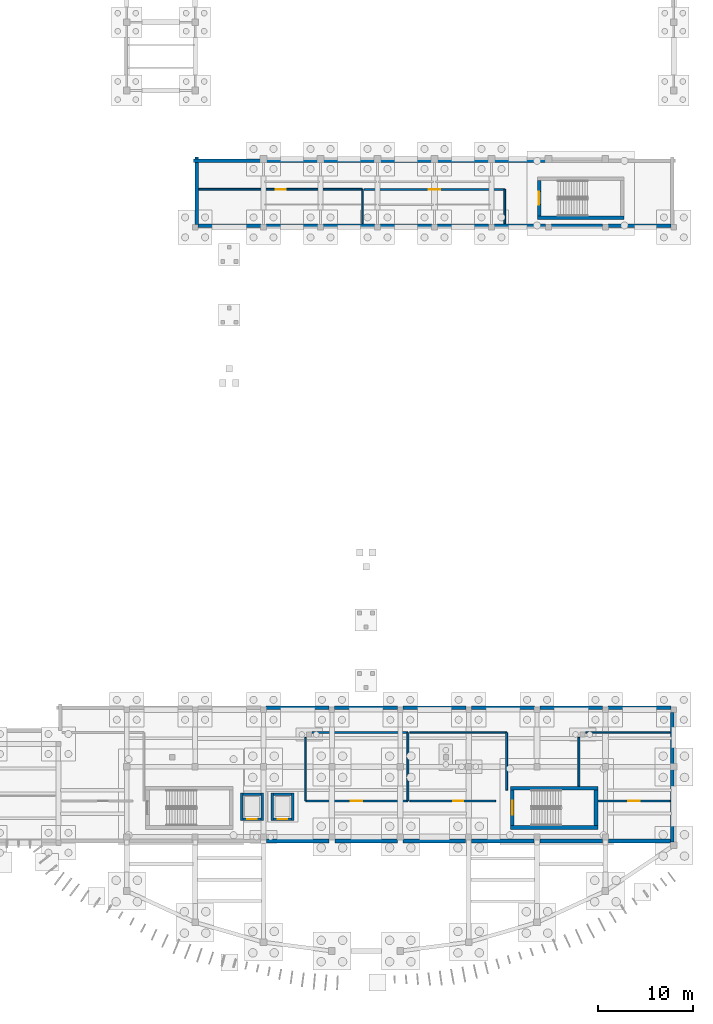
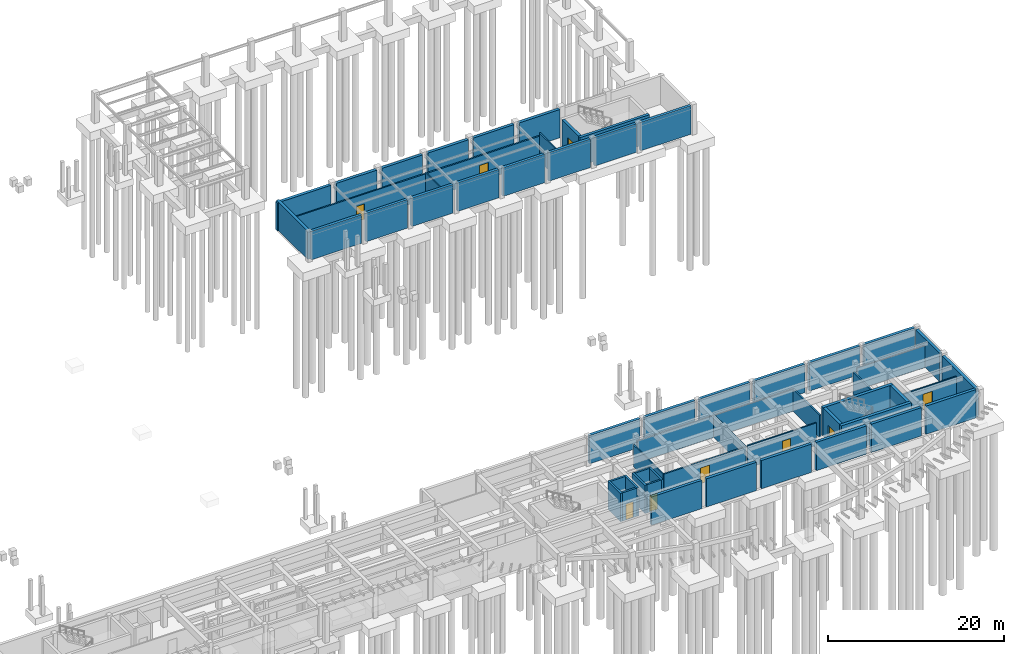
# One storey, part 19 of 31: 57 walls, 9 doors, 9 openings.
"""IFC4 building model written with IfcOpenShell, lengths in metres."""

import ifcopenshell
import ifcopenshell.guid

model = None  # the IFC model being written
_history = None  # IfcOwnerHistory: only IFC2X3 demands one
_inside = {}  # id of a spatial element -> (the spatial element, [elements in it])
_under = {}  # id of a project, library or spatial element -> (it, [spatial elements below it])
_declared = {}  # id of a project -> (the project, [libraries it declares])
_typed = {}  # id of a type object -> (the type object, [elements of that type])
_made_of = {}  # id of a material, layer set ... -> (it, [elements and type objects made of it])


def new_model(schema):
    """Start an empty IFC model of exactly this schema.

    Asked for "IFC4X3", IfcOpenShell would pick the latest addendum, in which some entities
    have other attributes; the version numbers below select the first issue.
    IFC2X3 requires an IfcOwnerHistory on every rooted entity: one is made here for all.
    """
    global model, _history
    if schema == "IFC4X3":
        model = ifcopenshell.file(schema_version=(4, 3, 0, 0))
    else:
        model = ifcopenshell.file(schema=schema)
    _inside.clear()
    _under.clear()
    _declared.clear()
    _typed.clear()
    _made_of.clear()
    _history = None
    if model.schema == "IFC2X3":
        org = make("IfcOrganization", Name="unknown")
        user = make(
            "IfcPersonAndOrganization",
            ThePerson=make("IfcPerson", FamilyName="unknown"),
            TheOrganization=org,
        )
        app = make(
            "IfcApplication",
            ApplicationDeveloper=org,
            Version="unknown",
            ApplicationFullName="unknown",
            ApplicationIdentifier="unknown",
        )
        _history = make(
            "IfcOwnerHistory",
            OwningUser=user,
            OwningApplication=app,
            ChangeAction="ADDED",
            CreationDate=0,
        )
    return model


def make(cls, **values):
    """One entity of the class cls with the attributes given. An attribute that is None is left unset."""
    return model.create_entity(
        cls, **{name: value for name, value in values.items() if value is not None}
    )


def rooted(cls, **values):
    """An entity with a GlobalId (a new one), such as an element, a storey or a relation."""
    return make(cls, GlobalId=ifcopenshell.guid.new(), OwnerHistory=_history, **values)


def si_unit(unit_type, name, prefix=None):
    """IfcSIUnit, for example si_unit("LENGTHUNIT", "METRE", prefix="MILLI")."""
    return make("IfcSIUnit", UnitType=unit_type, Prefix=prefix, Name=name)


def assignment(units):
    """IfcUnitAssignment: the units of a project."""
    return None if units is None else make("IfcUnitAssignment", Units=units)


def point(xyz):
    """IfcCartesianPoint."""
    return None if xyz is None else make("IfcCartesianPoint", Coordinates=xyz)


def direction(xyz):
    """IfcDirection."""
    return None if xyz is None else make("IfcDirection", DirectionRatios=xyz)


def frame(location, z_axis=None, x_axis=None):
    """IfcAxis2Placement3D, a coordinate frame: its origin and axes. An axis left out is left unset."""
    return make(
        "IfcAxis2Placement3D",
        Location=point(location),
        Axis=direction(z_axis),
        RefDirection=direction(x_axis),
    )


def frame_2d(location, x_axis=None):
    """IfcAxis2Placement2D, a coordinate frame in the plane: its origin and x axis."""
    return make(
        "IfcAxis2Placement2D", Location=point(location), RefDirection=direction(x_axis)
    )


def origin():
    """The frame at (0, 0, 0) with its axes left unset."""
    return frame((0.0, 0.0, 0.0))


def place(relative_to, where):
    """IfcLocalPlacement: puts the frame where relative to a parent placement (None: the world)."""
    return make(
        "IfcLocalPlacement", PlacementRelTo=relative_to, RelativePlacement=where
    )


def context(
    kind, dimensions, precision=None, world=None, true_north=None, identifier=None
):
    """IfcGeometricRepresentationContext, for example the 3D "Model" context."""
    return make(
        "IfcGeometricRepresentationContext",
        ContextIdentifier=identifier,
        ContextType=kind,
        CoordinateSpaceDimension=dimensions,
        Precision=precision,
        WorldCoordinateSystem=world,
        TrueNorth=true_north,
    )


def subcontext(parent, identifier, kind, view, scale=None):
    """IfcGeometricRepresentationSubContext, for example "Body" below "Model"."""
    return make(
        "IfcGeometricRepresentationSubContext",
        ContextIdentifier=identifier,
        ContextType=kind,
        ParentContext=parent,
        TargetScale=scale,
        TargetView=view,
    )


def project(units=None, contexts=None):
    """IfcProject with its units and contexts."""
    return rooted(
        "IfcProject",
        Name="project",
        RepresentationContexts=contexts,
        UnitsInContext=assignment(units),
    )


def spatial(cls, under=None, at=None, **own):
    """A site, building, storey or space (cls), placed at a placement, below another one or the project."""
    s = rooted(cls, ObjectPlacement=at, **own)
    if under is not None:
        _under.setdefault(under.id(), (under, []))[1].append(s)
    return s


def profile(cls, at=None, kind="AREA", **sizes):
    """A parametric profile (cls). Its sizes go by their IFC names, for example OverallWidth=200.0."""
    return make(cls, ProfileType=kind, Position=at, **sizes)


def rectangle(**sizes):
    """IfcRectangleProfileDef."""
    return profile("IfcRectangleProfileDef", **sizes)


def extrude(swept, where, along, depth):
    """IfcExtrudedAreaSolid: the profile swept, set in the frame where, extruded along a direction by depth."""
    return make(
        "IfcExtrudedAreaSolid",
        SweptArea=swept,
        Position=where,
        ExtrudedDirection=direction(along),
        Depth=depth,
    )


def shape(context_of_items, identifier, shape_type, items):
    """IfcShapeRepresentation: the items that make up one representation, for example the "Body"."""
    return make(
        "IfcShapeRepresentation",
        ContextOfItems=context_of_items,
        RepresentationIdentifier=identifier,
        RepresentationType=shape_type,
        Items=items,
    )


def material(Name=None, Category=None):
    """IfcMaterial."""
    return make("IfcMaterial", Name=Name, Category=Category)


def layer(
    of_material, thickness, ventilated=None, Name=None, Category=None, Priority=None
):
    """IfcMaterialLayer: one layer of a wall or slab, of a material (None: an air gap)."""
    return make(
        "IfcMaterialLayer",
        Material=of_material,
        LayerThickness=thickness,
        IsVentilated=ventilated,
        Name=Name,
        Category=Category,
        Priority=Priority,
    )


def layer_set(layers, Name=None):
    """IfcMaterialLayerSet."""
    return make("IfcMaterialLayerSet", MaterialLayers=layers, LayerSetName=Name)


def made_of(thing, what):
    """Note that an element or type object is made of a material, layer set ...; save() writes the relation."""
    if what is not None:
        _made_of.setdefault(what.id(), (what, []))[1].append(thing)
    return thing


def type_object(cls, material=None, **own):
    """A type object (cls), such as IfcWallType, which elements share."""
    return made_of(rooted(cls, **own), material)


def element(
    cls,
    number,
    at=None,
    inside=None,
    cuts=None,
    type_object=None,
    material=None,
    context=None,
    identifier="Body",
    shape_type=None,
    held_by="IfcProductDefinitionShape",
    body=None,
    shapes=None,
    **own,
):
    """One element of the class cls, such as IfcWall. Its Tag is "e" and its number.

    at: its placement. inside: the storey or other place that contains it. cuts: it is an
    opening in that element (IfcRelVoidsElement). A single representation is given by context,
    identifier, shape_type and body (its items); several are given by shapes. held_by: the class
    of the entity that holds the representations. save() writes the other relations.
    """
    e = rooted(cls, Tag="e%d" % number, ObjectPlacement=at, **own)
    if body is not None:
        shapes = [shape(context, identifier, shape_type, body)]
    if shapes is not None:
        e.Representation = make(held_by, Representations=shapes)
    if inside is not None:
        _inside.setdefault(inside.id(), (inside, []))[1].append(e)
    if cuts is not None:
        rooted(
            "IfcRelVoidsElement", RelatingBuildingElement=cuts, RelatedOpeningElement=e
        )
    if type_object is not None:
        _typed.setdefault(type_object.id(), (type_object, []))[1].append(e)
    return made_of(e, material)


def fill(opening, filler):
    """IfcRelFillsElement: the door or window that sits in an opening."""
    return rooted(
        "IfcRelFillsElement",
        RelatingOpeningElement=opening,
        RelatedBuildingElement=filler,
    )


def aggregate(whole, parts):
    """IfcRelAggregates: a whole, such as a stair, and the parts it consists of."""
    return rooted("IfcRelAggregates", RelatingObject=whole, RelatedObjects=parts)


def save(model, path):
    """Write the relations noted so far, then the file.

    IfcRelAggregates (storeys below a building ...), IfcRelContainedInSpatialStructure (elements
    in a storey), IfcRelDefinesByType, IfcRelAssociatesMaterial and IfcRelDeclares: one each for
    every whole, place, type object, material and project.
    """
    for whole, parts in _under.values():
        aggregate(whole, parts)
    for where, things in _inside.values():
        rooted(
            "IfcRelContainedInSpatialStructure",
            RelatedElements=things,
            RelatingStructure=where,
        )
    for kind, things in _typed.values():
        rooted("IfcRelDefinesByType", RelatedObjects=things, RelatingType=kind)
    for what, things in _made_of.values():
        rooted("IfcRelAssociatesMaterial", RelatedObjects=things, RelatingMaterial=what)
    for by, libraries in _declared.values():
        rooted("IfcRelDeclares", RelatingContext=by, RelatedDefinitions=libraries)
    model.write(path)


model = new_model("IFC4")

# Units and contexts
model_context = context("Model", 3, precision=1e-05, world=origin(), true_north=direction((0.0, 1.0)))
body_context = subcontext(model_context, "Body", "Model", "MODEL_VIEW")
ifc_project = project(units=[si_unit("LENGTHUNIT", "METRE"), si_unit("AREAUNIT", "SQUARE_METRE"), si_unit("VOLUMEUNIT", "CUBIC_METRE"), si_unit("PLANEANGLEUNIT", "RADIAN"), si_unit("MASSUNIT", "GRAM", prefix="KILO")], contexts=[model_context])

# Site, building, storey
site_placement = place(None, origin())
site = spatial("IfcSite", under=ifc_project, at=site_placement, CompositionType="ELEMENT")
building_placement = place(site_placement, origin())
building = spatial("IfcBuilding", under=site, at=building_placement, Name="Brisavento Harbour Community Centre", CompositionType="ELEMENT")
storey_placement = place(building_placement, frame((0.0, 0.0, -4.199951171875)))
storey = spatial("IfcBuildingStorey", under=building, at=storey_placement, Name="B1", CompositionType="ELEMENT", Elevation=-4.199951171875)

# Walls
ifc_material_1 = material(Name="Concrete C35/45", Category="concrete")
ifc_layer_1 = layer(ifc_material_1, 0.3798828125, Name="Concrete C35/45")
ifc_layer_set_1 = layer_set([ifc_layer_1], Name="Concrete C35/45")
wall_type_1 = type_object("IfcWallType", Name="WL-B1-380", PredefinedType="SOLIDWALL", material=ifc_layer_set_1)
wall_1_placement = place(storey_placement, frame((172.465087890625, 14.580078125, 0.0), z_axis=(0.0, 0.0, 1.0), x_axis=(-1.0, 0.0, 0.0)))
element("IfcWall", 1, at=wall_1_placement, inside=storey, type_object=wall_type_1, Name="B1 perimeter retaining wall 0015", PredefinedType="SOLIDWALL", context=body_context, shape_type="SweptSolid", body=[
    extrude(rectangle(XDim=6.55517578125, YDim=0.3798828125, at=frame_2d((3.277587890625, 0.0))), origin(), (0.0, 0.0, 1.0), 3.919921875),
])
for number, where, z_axis, x_axis, name in (
    (2, (165.2900390625, 14.580078125, 0.0), (0.0, 0.0, 1.0), (-1.0, 0.0, 0.0), "B1 perimeter retaining wall 0016"),
    (3, (158.090087890625, 14.580078125, 0.0), (0.0, 0.0, 1.0), (-1.0, 0.0, 0.0), "B1 perimeter retaining wall 0017"),
):
    element("IfcWall", number, at=place(storey_placement, frame(where, z_axis=z_axis, x_axis=x_axis)), inside=storey, type_object=wall_type_1, Name=name, PredefinedType="SOLIDWALL", context=body_context, shape_type="SweptSolid", body=[
        extrude(rectangle(XDim=6.580078125, YDim=0.3798828125, at=frame_2d((3.2900390625, 0.0))), origin(), (0.0, 0.0, 1.0), 3.919921875),
    ])
for number, where, z_axis, x_axis, name in (
    (4, (150.889892578125, 14.580078125, 0.0), (0.0, 0.0, 1.0), (-1.0, 0.0, 0.0), "B1 perimeter retaining wall 0018"),
    (5, (143.68994140625, 14.580078125, 0.0), (0.0, 0.0, 1.0), (-1.0, 0.0, 0.0), "B1 perimeter retaining wall 0019"),
):
    element("IfcWall", number, at=place(storey_placement, frame(where, z_axis=z_axis, x_axis=x_axis)), inside=storey, type_object=wall_type_1, Name=name, PredefinedType="SOLIDWALL", context=body_context, shape_type="SweptSolid", body=[
        extrude(rectangle(XDim=6.579833984375, YDim=0.3798828125, at=frame_2d((3.2900390625, 0.0))), origin(), (0.0, 0.0, 1.0), 3.919921875),
    ])
wall_2_placement = place(storey_placement, frame((136.489990234375, 14.580078125, 0.0), z_axis=(0.0, 0.0, 1.0), x_axis=(-1.0, 0.0, 0.0)))
element("IfcWall", 6, at=wall_2_placement, inside=storey, type_object=wall_type_1, Name="B1 perimeter retaining wall 0020", PredefinedType="SOLIDWALL", context=body_context, shape_type="SweptSolid", body=[
    extrude(rectangle(XDim=6.580078125, YDim=0.3798828125, at=frame_2d((3.2900390625, 0.0))), origin(), (0.0, 0.0, 1.0), 3.919921875),
])
wall_3_placement = place(storey_placement, frame((172.6201171875, 28.114990234375, 0.0), z_axis=(0.0, 0.0, 1.0), x_axis=(0.0, -1.0, 0.0)))
element("IfcWall", 7, at=wall_3_placement, inside=storey, type_object=wall_type_1, Name="B1 perimeter retaining wall 0024", PredefinedType="SOLIDWALL", context=body_context, shape_type="SweptSolid", body=[
    extrude(rectangle(XDim=5.405029296875, YDim=0.3798828125, at=frame_2d((2.70263671875, 0.0))), origin(), (0.0, 0.0, 1.0), 3.919921875),
])
wall_4_placement = place(storey_placement, frame((172.6201171875, 22.090087890625, 0.0), z_axis=(0.0, 0.0, 1.0), x_axis=(0.0, -1.0, 0.0)))
element("IfcWall", 8, at=wall_4_placement, inside=storey, type_object=wall_type_1, Name="B1 perimeter retaining wall 0025", PredefinedType="SOLIDWALL", context=body_context, shape_type="SweptSolid", body=[
    extrude(rectangle(XDim=7.627197265625, YDim=0.3798828125, at=frame_2d((3.8134765625, 0.0))), origin(), (0.0, 0.0, 1.0), 3.919921875),
])
wall_5_placement = place(storey_placement, frame((129.885009765625, 28.6201171875, 0.0), z_axis=(0.0, 0.0, 1.0), x_axis=(1.0, 0.0, 0.0)))
element("IfcWall", 9, at=wall_5_placement, inside=storey, type_object=wall_type_1, Name="B1 perimeter retaining wall 0029", PredefinedType="SOLIDWALL", context=body_context, shape_type="SweptSolid", body=[
    extrude(rectangle(XDim=6.6298828125, YDim=0.3798828125, at=frame_2d((3.31494140625, 0.0))), origin(), (0.0, 0.0, 1.0), 3.919921875),
])
for number, where, z_axis, x_axis, name in (
    (10, (137.0849609375, 28.6201171875, 0.0), (0.0, 0.0, 1.0), (1.0, 0.0, 0.0), "B1 perimeter retaining wall 0030"),
    (11, (144.284912109375, 28.6201171875, 0.0), (0.0, 0.0, 1.0), (1.0, 0.0, 0.0), "B1 perimeter retaining wall 0031"),
):
    element("IfcWall", number, at=place(storey_placement, frame(where, z_axis=z_axis, x_axis=x_axis)), inside=storey, type_object=wall_type_1, Name=name, PredefinedType="SOLIDWALL", context=body_context, shape_type="SweptSolid", body=[
        extrude(rectangle(XDim=6.630126953125, YDim=0.3798828125, at=frame_2d((3.31494140625, 0.0))), origin(), (0.0, 0.0, 1.0), 3.919921875),
    ])
for number, where, z_axis, x_axis, name in (
    (12, (151.485107421875, 28.6201171875, 0.0), (0.0, 0.0, 1.0), (1.0, 0.0, 0.0), "B1 perimeter retaining wall 0032"),
    (13, (158.68505859375, 28.6201171875, 0.0), (0.0, 0.0, 1.0), (1.0, 0.0, 0.0), "B1 perimeter retaining wall 0033"),
    (14, (165.885009765625, 28.6201171875, 0.0), (0.0, 0.0, 1.0), (1.0, 0.0, 0.0), "B1 perimeter retaining wall 0034"),
    (15, (172.514892578125, 79.3798828125, 0.0), (0.0, 0.0, 1.0), (-1.0, 0.0, 0.0), "B1 perimeter retaining wall 0036"),
):
    element("IfcWall", number, at=place(storey_placement, frame(where, z_axis=z_axis, x_axis=x_axis)), inside=storey, type_object=wall_type_1, Name=name, PredefinedType="SOLIDWALL", context=body_context, shape_type="SweptSolid", body=[
        extrude(rectangle(XDim=6.6298828125, YDim=0.3798828125, at=frame_2d((3.31494140625, 0.0))), origin(), (0.0, 0.0, 1.0), 3.919921875),
    ])
for number, where, z_axis, x_axis, name in (
    (16, (165.31494140625, 79.3798828125, 0.0), (0.0, 0.0, 1.0), (-1.0, 0.0, 0.0), "B1 perimeter retaining wall 0037"),
    (17, (159.31494140625, 79.3798828125, 0.0), (0.0, 0.0, 1.0), (-1.0, 0.0, 0.0), "B1 perimeter retaining wall 0038"),
    (18, (153.31494140625, 79.3798828125, 0.0), (0.0, 0.0, 1.0), (-1.0, 0.0, 0.0), "B1 perimeter retaining wall 0039"),
    (19, (147.31494140625, 79.3798828125, 0.0), (0.0, 0.0, 1.0), (-1.0, 0.0, 0.0), "B1 perimeter retaining wall 0040"),
    (20, (141.31494140625, 79.3798828125, 0.0), (0.0, 0.0, 1.0), (-1.0, 0.0, 0.0), "B1 perimeter retaining wall 0041"),
    (21, (135.31494140625, 79.3798828125, 0.0), (0.0, 0.0, 1.0), (-1.0, 0.0, 0.0), "B1 perimeter retaining wall 0042"),
):
    element("IfcWall", number, at=place(storey_placement, frame(where, z_axis=z_axis, x_axis=x_axis)), inside=storey, type_object=wall_type_1, Name=name, PredefinedType="SOLIDWALL", context=body_context, shape_type="SweptSolid", body=[
        extrude(rectangle(XDim=5.429931640625, YDim=0.3798828125, at=frame_2d((2.71484375, 0.0))), origin(), (0.0, 0.0, 1.0), 3.919921875),
    ])
wall_6_placement = place(storey_placement, frame((129.31494140625, 79.3798828125, 0.0), z_axis=(0.0, 0.0, 1.0), x_axis=(-1.0, 0.0, 0.0)))
element("IfcWall", 22, at=wall_6_placement, inside=storey, type_object=wall_type_1, Name="B1 perimeter retaining wall 0043", PredefinedType="SOLIDWALL", context=body_context, shape_type="SweptSolid", body=[
    extrude(rectangle(XDim=6.6298828125, YDim=0.3798828125, at=frame_2d((3.31494140625, 0.0))), origin(), (0.0, 0.0, 1.0), 3.919921875),
])
wall_7_placement = place(storey_placement, frame((122.2099609375, 86.219970703125, 0.0), z_axis=(0.0, 0.0, 1.0), x_axis=(1.0, 0.0, 0.0)))
element("IfcWall", 23, at=wall_7_placement, inside=storey, type_object=wall_type_1, Name="B1 perimeter retaining wall 0045", PredefinedType="SOLIDWALL", context=body_context, shape_type="SweptSolid", body=[
    extrude(rectangle(XDim=7.054931640625, YDim=0.3798828125, at=frame_2d((3.52734375, 0.0))), origin(), (0.0, 0.0, 1.0), 3.919921875),
])
for number, where, z_axis, x_axis, name in (
    (24, (129.93505859375, 86.219970703125, 0.0), (0.0, 0.0, 1.0), (1.0, 0.0, 0.0), "B1 perimeter retaining wall 0046"),
    (25, (135.93505859375, 86.219970703125, 0.0), (0.0, 0.0, 1.0), (1.0, 0.0, 0.0), "B1 perimeter retaining wall 0047"),
    (26, (141.93505859375, 86.219970703125, 0.0), (0.0, 0.0, 1.0), (1.0, 0.0, 0.0), "B1 perimeter retaining wall 0048"),
    (27, (147.93505859375, 86.219970703125, 0.0), (0.0, 0.0, 1.0), (1.0, 0.0, 0.0), "B1 perimeter retaining wall 0049"),
    (28, (153.93505859375, 86.219970703125, 0.0), (0.0, 0.0, 1.0), (1.0, 0.0, 0.0), "B1 perimeter retaining wall 0050"),
):
    element("IfcWall", number, at=place(storey_placement, frame(where, z_axis=z_axis, x_axis=x_axis)), inside=storey, type_object=wall_type_1, Name=name, PredefinedType="SOLIDWALL", context=body_context, shape_type="SweptSolid", body=[
        extrude(rectangle(XDim=5.329833984375, YDim=0.3798828125, at=frame_2d((2.6650390625, 0.0))), origin(), (0.0, 0.0, 1.0), 3.919921875),
    ])
wall_8_placement = place(storey_placement, frame((122.580078125, 79.485107421875, 0.0), z_axis=(0.0, 0.0, 1.0), x_axis=(0.0, 1.0, 0.0)))
element("IfcWall", 29, at=wall_8_placement, inside=storey, type_object=wall_type_1, Name="B1 perimeter retaining wall 0053", PredefinedType="SOLIDWALL", context=body_context, shape_type="SweptSolid", body=[
    extrude(rectangle(XDim=7.10498046875, YDim=0.3798828125, at=frame_2d((3.552490234375, 0.0))), origin(), (0.0, 0.0, 1.0), 3.919921875),
])
ifc_material_2 = material(Name="Concrete C40/50", Category="concrete")
ifc_layer_2 = layer(ifc_material_2, 0.35009765625, Name="Concrete C40/50")
ifc_layer_set_2 = layer_set([ifc_layer_2], Name="Concrete C40/50")
wall_type_2 = type_object("IfcWallType", Name="WL-CORE-350", PredefinedType="SHEAR", material=ifc_layer_set_2)
wall_9_placement = place(storey_placement, frame((158.449951171875, 80.22509765625, 0.0), z_axis=(0.0, 0.0, 1.0), x_axis=(1.0, 0.0, 0.0)))
element("IfcWall", 30, at=wall_9_placement, inside=storey, type_object=wall_type_2, Name="B1 core C4 shear wall L", PredefinedType="SHEAR", context=body_context, shape_type="SweptSolid", body=[
    extrude(rectangle(XDim=9.10009765625, YDim=0.35009765625, at=frame_2d((4.550048828125, 0.0))), origin(), (0.0, 0.0, 1.0), 3.919921875),
])

# Wall, opening, door
wall_10_placement = place(storey_placement, frame((158.625, 84.14990234375, 0.0), z_axis=(0.0, 0.0, 1.0), x_axis=(0.0, -1.0, 0.0)))
wall_10 = element("IfcWall", 31, at=wall_10_placement, inside=storey, type_object=wall_type_2, Name="B1 core C4 shear wall N", PredefinedType="SHEAR", context=body_context, shape_type="SweptSolid", body=[
    extrude(rectangle(XDim=3.75, YDim=0.35009765625, at=frame_2d((1.875, 0.0))), origin(), (0.0, 0.0, 1.0), 3.919921875),
])
opening_1_placement = place(wall_10_placement, frame((1.199951171875, 0.0, 0.0)))
opening_1 = element("IfcOpeningElement", 32, at=opening_1_placement, cuts=wall_10, Name="Opening SD-02", PredefinedType="OPENING", context=body_context, shape_type="SweptSolid", body=[
    extrude(rectangle(XDim=1.35009765625, YDim=2.199951171875, at=frame_2d((0.675048828125, 1.10009765625))), frame((0.0, 0.18505859375, 0.0), z_axis=(0.0, -1.0, 0.0), x_axis=(1.0, 0.0, 0.0)), (0.0, 0.0, 1.0), 0.3701171875),
])
ifc_material_3 = material(Name="Fire-rated steel door assembly", Category="steel")
door_type_1 = type_object("IfcDoorType", Name="DR-STAIR-135x220", OperationType="NOTDEFINED", PredefinedType="DOOR", material=ifc_material_3)
door_1_placement = place(opening_1_placement, origin())
door_1 = element("IfcDoor", 33, at=door_1_placement, inside=storey, type_object=door_type_1, Name="B1 exit stair ST-06 fire door", OperationType="SINGLE_SWING_LEFT", OverallHeight=2.199951171875, OverallWidth=1.35009765625, PredefinedType="DOOR", context=body_context, shape_type="SweptSolid", body=[
    extrude(rectangle(XDim=1.35009765625, YDim=2.199951171875, at=frame_2d((0.675048828125, 1.10009765625))), frame((0.0, 0.02490234375, 0.0), z_axis=(0.0, -1.0, 0.0), x_axis=(1.0, 0.0, 0.0)), (0.0, 0.0, 1.0), 0.050048828125),
])
fill(opening_1, door_1)

# Walls
ifc_layer_3 = layer(ifc_material_2, 0.39990234375, Name="Concrete C40/50")
ifc_layer_set_3 = layer_set([ifc_layer_3], Name="Concrete C40/50")
wall_type_3 = type_object("IfcWallType", Name="WL-CORE-400", PredefinedType="SHEAR", material=ifc_layer_set_3)
for number, where, z_axis, x_axis, name in (
    (34, (155.60009765625, 16.0, 0.0), (0.0, 0.0, 1.0), (1.0, 0.0, 0.0), "B1 core C3B shear wall L"),
    (35, (164.800048828125, 20.14990234375, 0.0), (0.0, 0.0, 1.0), (-1.0, 0.0, 0.0), "B1 core C3B shear wall R"),
):
    element("IfcWall", number, at=place(storey_placement, frame(where, z_axis=z_axis, x_axis=x_axis)), inside=storey, type_object=wall_type_3, Name=name, PredefinedType="SHEAR", context=body_context, shape_type="SweptSolid", body=[
        extrude(rectangle(XDim=9.199951171875, YDim=0.39990234375, at=frame_2d((4.60009765625, 0.0))), origin(), (0.0, 0.0, 1.0), 3.919921875),
    ])
wall_11_placement = place(storey_placement, frame((164.60009765625, 16.199951171875, 0.0), z_axis=(0.0, 0.0, 1.0), x_axis=(0.0, 1.0, 0.0)))
element("IfcWall", 36, at=wall_11_placement, inside=storey, type_object=wall_type_3, Name="B1 core C3B shear wall F", PredefinedType="SHEAR", context=body_context, shape_type="SweptSolid", body=[
    extrude(rectangle(XDim=3.75, YDim=0.39990234375, at=frame_2d((1.875, 0.0))), origin(), (0.0, 0.0, 1.0), 3.919921875),
])

# Wall, opening, door
wall_12_placement = place(storey_placement, frame((155.800048828125, 19.949951171875, 0.0), z_axis=(0.0, 0.0, 1.0), x_axis=(0.0, -1.0, 0.0)))
wall_12 = element("IfcWall", 37, at=wall_12_placement, inside=storey, type_object=wall_type_3, Name="B1 core C3B shear wall N", PredefinedType="SHEAR", context=body_context, shape_type="SweptSolid", body=[
    extrude(rectangle(XDim=3.75, YDim=0.39990234375, at=frame_2d((1.875, 0.0))), origin(), (0.0, 0.0, 1.0), 3.919921875),
])
opening_2_placement = place(wall_12_placement, frame((1.125, 0.0, 0.0)))
opening_2 = element("IfcOpeningElement", 38, at=opening_2_placement, cuts=wall_12, Name="Opening SD-01", PredefinedType="OPENING", context=body_context, shape_type="SweptSolid", body=[
    extrude(rectangle(XDim=1.5, YDim=2.199951171875, at=frame_2d((0.75, 1.10009765625))), frame((0.0, 0.2099609375, 0.0), z_axis=(0.0, -1.0, 0.0), x_axis=(1.0, 0.0, 0.0)), (0.0, 0.0, 1.0), 0.419921875),
])
door_type_2 = type_object("IfcDoorType", Name="DR-STAIR-150x220", OperationType="NOTDEFINED", PredefinedType="DOOR", material=ifc_material_3)
door_2_placement = place(opening_2_placement, origin())
door_2 = element("IfcDoor", 39, at=door_2_placement, inside=storey, type_object=door_type_2, Name="B1 exit stair ST-05 fire door", OperationType="SINGLE_SWING_RIGHT", OverallHeight=2.199951171875, OverallWidth=1.5, PredefinedType="DOOR", context=body_context, shape_type="SweptSolid", body=[
    extrude(rectangle(XDim=1.5, YDim=2.199951171875, at=frame_2d((0.75, 1.10009765625))), frame((0.0, 0.02490234375, 0.0), z_axis=(0.0, -1.0, 0.0), x_axis=(1.0, 0.0, 0.0)), (0.0, 0.0, 1.0), 0.050048828125),
])
fill(opening_2, door_2)

ifc_material_4 = material(Name="Concrete masonry blockwork", Category="masonry")
ifc_layer_4 = layer(ifc_material_4, 0.199951171875, Name="Concrete masonry blockwork")
ifc_layer_set_4 = layer_set([ifc_layer_4], Name="Concrete masonry blockwork")
wall_type_4 = type_object("IfcWallType", Name="WL-FIR-200", PredefinedType="PARTITIONING", material=ifc_layer_set_4)
wall_13_placement = place(storey_placement, frame((134.0, 18.800048828125, 0.0), z_axis=(0.0, 0.0, 1.0), x_axis=(1.0, 0.0, 0.0)))
wall_13 = element("IfcWall", 40, at=wall_13_placement, inside=storey, type_object=wall_type_4, Name="B1 Main Low Voltage Switchroom partition 0024", PredefinedType="PARTITIONING", context=body_context, shape_type="SweptSolid", body=[
    extrude(rectangle(XDim=10.800048828125, YDim=0.199951171875, at=frame_2d((5.39990234375, 0.0))), origin(), (0.0, 0.0, 1.0), 3.02001953125),
])
opening_3_placement = place(wall_13_placement, frame((4.800048828125, 0.0, 0.0)))
opening_3 = element("IfcOpeningElement", 41, at=opening_3_placement, cuts=wall_13, Name="Opening FD-01", PredefinedType="OPENING", context=body_context, shape_type="SweptSolid", body=[
    extrude(rectangle(XDim=1.199951171875, YDim=2.199951171875, at=frame_2d((0.60009765625, 1.10009765625))), frame((0.0, 0.10986328125, 0.0), z_axis=(0.0, -1.0, 0.0), x_axis=(1.0, 0.0, 0.0)), (0.0, 0.0, 1.0), 0.219970703125),
])
ifc_material_5 = material(Name="Fire-rated hardwood door", Category="wood")
door_type_3 = type_object("IfcDoorType", Name="DR-FIRE-120x220", OperationType="NOTDEFINED", PredefinedType="DOOR", material=ifc_material_5)
door_3_placement = place(opening_3_placement, origin())
door_3 = element("IfcDoor", 42, at=door_3_placement, inside=storey, type_object=door_type_3, Name="B1 Main Low Voltage Switchroom door 0009", OperationType="SINGLE_SWING_RIGHT", OverallHeight=2.199951171875, OverallWidth=1.199951171875, PredefinedType="DOOR", context=body_context, shape_type="SweptSolid", body=[
    extrude(rectangle(XDim=1.199951171875, YDim=2.199951171875, at=frame_2d((0.60009765625, 1.10009765625))), frame((0.0, 0.02490234375, 0.0), z_axis=(0.0, -1.0, 0.0), x_axis=(1.0, 0.0, 0.0)), (0.0, 0.0, 1.0), 0.050048828125),
])
fill(opening_3, door_3)

# Walls
wall_14_placement = place(storey_placement, frame((144.800048828125, 18.800048828125, 0.0), z_axis=(0.0, 0.0, 1.0), x_axis=(0.0, 1.0, 0.0)))
element("IfcWall", 43, at=wall_14_placement, inside=storey, type_object=wall_type_4, Name="B1 Main Low Voltage Switchroom partition 0027", PredefinedType="PARTITIONING", context=body_context, shape_type="SweptSolid", body=[
    extrude(rectangle(XDim=7.199951171875, YDim=0.199951171875, at=frame_2d((3.60009765625, 0.0))), origin(), (0.0, 0.0, 1.0), 3.02001953125),
])
wall_15_placement = place(storey_placement, frame((155.199951171875, 19.949951171875, 0.0), z_axis=(0.0, 0.0, 1.0), x_axis=(0.0, 1.0, 0.0)))
element("IfcWall", 44, at=wall_15_placement, inside=storey, type_object=wall_type_4, Name="B1 Library Archival Climate Plant Room partition 0030", PredefinedType="PARTITIONING", context=body_context, shape_type="SweptSolid", body=[
    extrude(rectangle(XDim=6.050048828125, YDim=0.199951171875, at=frame_2d((3.02490234375, 0.0))), origin(), (0.0, 0.0, 1.0), 3.070068359375),
])
wall_16_placement = place(storey_placement, frame((162.800048828125, 25.485107421875, 0.0), z_axis=(0.0, 0.0, 1.0), x_axis=(0.0, -1.0, 0.0)))
element("IfcWall", 45, at=wall_16_placement, inside=storey, type_object=wall_type_4, Name="B1 General Equipment Store B1 partition 0033", PredefinedType="PARTITIONING", context=body_context, shape_type="SweptSolid", body=[
    extrude(rectangle(XDim=5.125, YDim=0.199951171875, at=frame_2d((2.5625, 0.0))), origin(), (0.0, 0.0, 1.0), 3.02001953125),
])

# Wall, opening, door
wall_17_placement = place(storey_placement, frame((155.0, 83.199951171875, 0.0), z_axis=(0.0, 0.0, 1.0), x_axis=(-1.0, 0.0, 0.0)))
wall_17 = element("IfcWall", 46, at=wall_17_placement, inside=storey, type_object=wall_type_4, Name="B1 Sports Court Equipment Store partition 0036", PredefinedType="PARTITIONING", context=body_context, shape_type="SweptSolid", body=[
    extrude(rectangle(XDim=14.800048828125, YDim=0.199951171875, at=frame_2d((7.39990234375, 0.0))), origin(), (0.0, 0.0, 1.0), 3.52001953125),
])
opening_4_placement = place(wall_17_placement, frame((6.800048828125, 0.0, 0.0)))
opening_4 = element("IfcOpeningElement", 47, at=opening_4_placement, cuts=wall_17, Name="Opening FD-01", PredefinedType="OPENING", context=body_context, shape_type="SweptSolid", body=[
    extrude(rectangle(XDim=1.199951171875, YDim=2.199951171875, at=frame_2d((0.60009765625, 1.10009765625))), frame((0.0, 0.10986328125, 0.0), z_axis=(0.0, -1.0, 0.0), x_axis=(1.0, 0.0, 0.0)), (0.0, 0.0, 1.0), 0.219970703125),
])
door_4_placement = place(opening_4_placement, origin())
door_4 = element("IfcDoor", 48, at=door_4_placement, inside=storey, type_object=door_type_3, Name="B1 Sports Court Equipment Store door 0013", OperationType="SINGLE_SWING_RIGHT", OverallHeight=2.199951171875, OverallWidth=1.199951171875, PredefinedType="DOOR", context=body_context, shape_type="SweptSolid", body=[
    extrude(rectangle(XDim=1.199951171875, YDim=2.199951171875, at=frame_2d((0.60009765625, 1.10009765625))), frame((0.0, 0.02490234375, 0.0), z_axis=(0.0, -1.0, 0.0), x_axis=(1.0, 0.0, 0.0)), (0.0, 0.0, 1.0), 0.050048828125),
])
fill(opening_4, door_4)

# Walls
ifc_material_6 = material(Name="Acoustic gypsum stud partition", Category="other")
ifc_layer_5 = layer(ifc_material_6, 0.159912109375, Name="Acoustic gypsum stud partition")
ifc_layer_set_5 = layer_set([ifc_layer_5], Name="Acoustic gypsum stud partition")
wall_type_5 = type_object("IfcWallType", Name="WL-PRT-160", PredefinedType="PARTITIONING", material=ifc_layer_set_5)
wall_18_placement = place(storey_placement, frame((134.0, 25.485107421875, 0.0), z_axis=(0.0, 0.0, 1.0), x_axis=(0.0, -1.0, 0.0)))
element("IfcWall", 49, at=wall_18_placement, inside=storey, type_object=wall_type_5, Name="B1 Main Low Voltage Switchroom partition 0026", PredefinedType="PARTITIONING", context=body_context, shape_type="SweptSolid", body=[
    extrude(rectangle(XDim=6.68505859375, YDim=0.159912109375, at=frame_2d((3.342529296875, 0.0))), origin(), (0.0, 0.0, 1.0), 3.02001953125),
])
wall_19_placement = place(storey_placement, frame((155.199951171875, 26.0, 0.0), z_axis=(0.0, 0.0, 1.0), x_axis=(-1.0, 0.0, 0.0)))
element("IfcWall", 50, at=wall_19_placement, inside=storey, type_object=wall_type_5, Name="B1 Library Archival Climate Plant Room partition 0029", PredefinedType="PARTITIONING", context=body_context, shape_type="SweptSolid", body=[
    extrude(rectangle(XDim=10.199951171875, YDim=0.159912109375, at=frame_2d((5.10009765625, 0.0))), origin(), (0.0, 0.0, 1.0), 3.02001953125),
])
wall_20_placement = place(storey_placement, frame((172.39990234375, 26.0, 0.0), z_axis=(0.0, 0.0, 1.0), x_axis=(-1.0, 0.0, 0.0)))
element("IfcWall", 51, at=wall_20_placement, inside=storey, type_object=wall_type_5, Name="B1 General Equipment Store B1 partition 0032", PredefinedType="PARTITIONING", context=body_context, shape_type="SweptSolid", body=[
    extrude(rectangle(XDim=8.885009765625, YDim=0.159912109375, at=frame_2d((4.4423828125, 0.0))), origin(), (0.0, 0.0, 1.0), 3.02001953125),
])
wall_21_placement = place(storey_placement, frame((140.0, 79.60009765625, 0.0), z_axis=(0.0, 0.0, 1.0), x_axis=(0.0, 1.0, 0.0)))
element("IfcWall", 52, at=wall_21_placement, inside=storey, type_object=wall_type_5, Name="B1 Sports Hall Air Handling Plant Room partition 0035", PredefinedType="PARTITIONING", context=body_context, shape_type="SweptSolid", body=[
    extrude(rectangle(XDim=3.599853515625, YDim=0.159912109375, at=frame_2d((1.7998046875, 0.0))), origin(), (0.0, 0.0, 1.0), 3.679931640625),
])
ifc_layer_6 = layer(ifc_material_6, 0.179931640625, Name="Acoustic gypsum stud partition")
ifc_layer_set_6 = layer_set([ifc_layer_6], Name="Acoustic gypsum stud partition")
wall_type_6 = type_object("IfcWallType", Name="WL-PRT-180", PredefinedType="PARTITIONING", material=ifc_layer_set_6)
wall_22_placement = place(storey_placement, frame((144.800048828125, 26.0, 0.0), z_axis=(0.0, 0.0, 1.0), x_axis=(-1.0, 0.0, 0.0)))
element("IfcWall", 53, at=wall_22_placement, inside=storey, type_object=wall_type_6, Name="B1 Main Low Voltage Switchroom partition 0025", PredefinedType="PARTITIONING", context=body_context, shape_type="SweptSolid", body=[
    extrude(rectangle(XDim=10.0849609375, YDim=0.179931640625, at=frame_2d((5.04248046875, 0.0))), origin(), (0.0, 0.0, 1.0), 3.02001953125),
])

# Wall, opening, door
wall_23_placement = place(storey_placement, frame((145.0, 18.800048828125, 0.0), z_axis=(0.0, 0.0, 1.0), x_axis=(1.0, 0.0, 0.0)))
wall_23 = element("IfcWall", 54, at=wall_23_placement, inside=storey, type_object=wall_type_6, Name="B1 Library Archival Climate Plant Room partition 0028", PredefinedType="PARTITIONING", context=body_context, shape_type="SweptSolid", body=[
    extrude(rectangle(XDim=9.050048828125, YDim=0.179931640625, at=frame_2d((4.52490234375, 0.0))), origin(), (0.0, 0.0, 1.0), 3.119873046875),
])
opening_5_placement = place(wall_23_placement, frame((4.574951171875, 0.0, 0.0)))
opening_5 = element("IfcOpeningElement", 55, at=opening_5_placement, cuts=wall_23, Name="Opening FD-02", PredefinedType="OPENING", context=body_context, shape_type="SweptSolid", body=[
    extrude(rectangle(XDim=1.050048828125, YDim=2.14990234375, at=frame_2d((0.52490234375, 1.074951171875))), frame((0.0, 0.10009765625, 0.0), z_axis=(0.0, -1.0, 0.0), x_axis=(1.0, 0.0, 0.0)), (0.0, 0.0, 1.0), 0.199951171875),
])
door_type_4 = type_object("IfcDoorType", Name="DR-FIRE-105x215", OperationType="NOTDEFINED", PredefinedType="DOOR", material=ifc_material_5)
door_5_placement = place(opening_5_placement, origin())
door_5 = element("IfcDoor", 56, at=door_5_placement, inside=storey, type_object=door_type_4, Name="B1 Library Archival Climate Plant Room door 0010", OperationType="SINGLE_SWING_LEFT", OverallHeight=2.14990234375, OverallWidth=1.050048828125, PredefinedType="DOOR", context=body_context, shape_type="SweptSolid", body=[
    extrude(rectangle(XDim=1.050048828125, YDim=2.14990234375, at=frame_2d((0.52490234375, 1.074951171875))), frame((0.0, 0.02490234375, 0.0), z_axis=(0.0, -1.0, 0.0), x_axis=(1.0, 0.0, 0.0)), (0.0, 0.0, 1.0), 0.050048828125),
])
fill(opening_5, door_5)

wall_24_placement = place(storey_placement, frame((164.81005859375, 18.800048828125, 0.0), z_axis=(0.0, 0.0, 1.0), x_axis=(1.0, 0.0, 0.0)))
wall_24 = element("IfcWall", 57, at=wall_24_placement, inside=storey, type_object=wall_type_6, Name="B1 General Equipment Store B1 partition 0031", PredefinedType="PARTITIONING", context=body_context, shape_type="SweptSolid", body=[
    extrude(rectangle(XDim=7.58984375, YDim=0.179931640625, at=frame_2d((3.794921875, 0.0))), origin(), (0.0, 0.0, 1.0), 3.119873046875),
])
opening_6_placement = place(wall_24_placement, frame((3.195068359375, 0.0, 0.0)))
opening_6 = element("IfcOpeningElement", 58, at=opening_6_placement, cuts=wall_24, Name="Opening FD-01", PredefinedType="OPENING", context=body_context, shape_type="SweptSolid", body=[
    extrude(rectangle(XDim=1.199951171875, YDim=2.199951171875, at=frame_2d((0.60009765625, 1.10009765625))), frame((0.0, 0.10009765625, 0.0), z_axis=(0.0, -1.0, 0.0), x_axis=(1.0, 0.0, 0.0)), (0.0, 0.0, 1.0), 0.199951171875),
])
door_6_placement = place(opening_6_placement, origin())
door_6 = element("IfcDoor", 59, at=door_6_placement, inside=storey, type_object=door_type_3, Name="B1 General Equipment Store B1 door 0011", OperationType="SINGLE_SWING_RIGHT", OverallHeight=2.199951171875, OverallWidth=1.199951171875, PredefinedType="DOOR", context=body_context, shape_type="SweptSolid", body=[
    extrude(rectangle(XDim=1.199951171875, YDim=2.199951171875, at=frame_2d((0.60009765625, 1.10009765625))), frame((0.0, 0.02490234375, 0.0), z_axis=(0.0, -1.0, 0.0), x_axis=(1.0, 0.0, 0.0)), (0.0, 0.0, 1.0), 0.050048828125),
])
fill(opening_6, door_6)

wall_25_placement = place(storey_placement, frame((140.0, 83.199951171875, 0.0), z_axis=(0.0, 0.0, 1.0), x_axis=(-1.0, 0.0, 0.0)))
wall_25 = element("IfcWall", 60, at=wall_25_placement, inside=storey, type_object=wall_type_6, Name="B1 Sports Hall Air Handling Plant Room partition 0034", PredefinedType="PARTITIONING", context=body_context, shape_type="SweptSolid", body=[
    extrude(rectangle(XDim=17.199951171875, YDim=0.179931640625, at=frame_2d((8.60009765625, 0.0))), origin(), (0.0, 0.0, 1.0), 3.52001953125),
])
opening_7_placement = place(wall_25_placement, frame((8.074951171875, 0.0, 0.0)))
opening_7 = element("IfcOpeningElement", 61, at=opening_7_placement, cuts=wall_25, Name="Opening FD-02", PredefinedType="OPENING", context=body_context, shape_type="SweptSolid", body=[
    extrude(rectangle(XDim=1.050048828125, YDim=2.14990234375, at=frame_2d((0.52490234375, 1.074951171875))), frame((0.0, 0.10009765625, 0.0), z_axis=(0.0, -1.0, 0.0), x_axis=(1.0, 0.0, 0.0)), (0.0, 0.0, 1.0), 0.199951171875),
])
door_7_placement = place(opening_7_placement, origin())
door_7 = element("IfcDoor", 62, at=door_7_placement, inside=storey, type_object=door_type_4, Name="B1 Sports Hall Air Handling Plant Room door 0012", OperationType="SINGLE_SWING_LEFT", OverallHeight=2.14990234375, OverallWidth=1.050048828125, PredefinedType="DOOR", context=body_context, shape_type="SweptSolid", body=[
    extrude(rectangle(XDim=1.050048828125, YDim=2.14990234375, at=frame_2d((0.52490234375, 1.074951171875))), frame((0.0, 0.02490234375, 0.0), z_axis=(0.0, -1.0, 0.0), x_axis=(1.0, 0.0, 0.0)), (0.0, 0.0, 1.0), 0.050048828125),
])
fill(opening_7, door_7)

# Walls
wall_26_placement = place(storey_placement, frame((155.0, 79.60009765625, 0.0), z_axis=(0.0, 0.0, 1.0), x_axis=(0.0, 1.0, 0.0)))
element("IfcWall", 63, at=wall_26_placement, inside=storey, type_object=wall_type_6, Name="B1 Sports Court Equipment Store partition 0037", PredefinedType="PARTITIONING", context=body_context, shape_type="SweptSolid", body=[
    extrude(rectangle(XDim=3.599853515625, YDim=0.179931640625, at=frame_2d((1.7998046875, 0.0))), origin(), (0.0, 0.0, 1.0), 3.919921875),
])
ifc_layer_7 = layer(ifc_material_1, 0.25, Name="Concrete C35/45")
ifc_layer_set_7 = layer_set([ifc_layer_7], Name="Concrete C35/45")
wall_type_7 = type_object("IfcWallType", Name="WL-SHF-250", PredefinedType="SOLIDWALL", material=ifc_layer_set_7)
for number, where, z_axis, x_axis, name in (
    (64, (127.324951171875, 16.75, 0.0), (0.0, 0.0, 1.0), (0.0, 1.0, 0.0), "B1 lift LC-02 shaft wall W"),
    (65, (129.47509765625, 19.64990234375, 0.0), (0.0, 0.0, 1.0), (0.0, -1.0, 0.0), "B1 lift LC-02 shaft wall E"),
):
    element("IfcWall", number, at=place(storey_placement, frame(where, z_axis=z_axis, x_axis=x_axis)), inside=storey, type_object=wall_type_7, Name=name, PredefinedType="SOLIDWALL", context=body_context, shape_type="SweptSolid", body=[
        extrude(rectangle(XDim=2.89990234375, YDim=0.25, at=frame_2d((1.449951171875, 0.0))), origin(), (0.0, 0.0, 1.0), 3.919921875),
    ])

# Wall, opening, door
wall_27_placement = place(storey_placement, frame((127.449951171875, 16.875, 0.0), z_axis=(0.0, 0.0, 1.0), x_axis=(1.0, 0.0, 0.0)))
wall_27 = element("IfcWall", 66, at=wall_27_placement, inside=storey, type_object=wall_type_7, Name="B1 lift LC-02 shaft wall S", PredefinedType="SOLIDWALL", context=body_context, shape_type="SweptSolid", body=[
    extrude(rectangle(XDim=1.900146484375, YDim=0.25, at=frame_2d((0.9501953125, 0.0))), origin(), (0.0, 0.0, 1.0), 3.919921875),
])
opening_8_placement = place(wall_27_placement, frame((0.449951171875, 0.0, 0.0)))
opening_8 = element("IfcOpeningElement", 67, at=opening_8_placement, cuts=wall_27, Name="Opening LD-02", PredefinedType="OPENING", context=body_context, shape_type="SweptSolid", body=[
    extrude(rectangle(XDim=1.0, YDim=2.199951171875, at=frame_2d((0.5, 1.10009765625))), frame((0.0, 0.135009765625, 0.0), z_axis=(0.0, -1.0, 0.0), x_axis=(1.0, 0.0, 0.0)), (0.0, 0.0, 1.0), 0.27001953125),
])
ifc_material_7 = material(Name="Stainless steel 1.4401", Category="steel")
door_type_5 = type_object("IfcDoorType", Name="DR-LIFT-100x220", OperationType="DOUBLE_DOOR_SLIDING", PredefinedType="DOOR", material=ifc_material_7)
door_8_placement = place(opening_8_placement, origin())
door_8 = element("IfcDoor", 68, at=door_8_placement, inside=storey, type_object=door_type_5, Name="B1 lift LC-02 landing sliding door", OperationType="DOUBLE_DOOR_SLIDING", OverallHeight=2.199951171875, OverallWidth=1.0, PredefinedType="DOOR", context=body_context, shape_type="SweptSolid", body=[
    extrude(rectangle(XDim=1.0, YDim=2.199951171875, at=frame_2d((0.5, 1.10009765625))), frame((0.0, 0.02490234375, 0.0), z_axis=(0.0, -1.0, 0.0), x_axis=(1.0, 0.0, 0.0)), (0.0, 0.0, 1.0), 0.050048828125),
])
fill(opening_8, door_8)

# Walls
wall_28_placement = place(storey_placement, frame((129.35009765625, 19.52490234375, 0.0), z_axis=(0.0, 0.0, 1.0), x_axis=(-1.0, 0.0, 0.0)))
element("IfcWall", 69, at=wall_28_placement, inside=storey, type_object=wall_type_7, Name="B1 lift LC-02 shaft wall N", PredefinedType="SOLIDWALL", context=body_context, shape_type="SweptSolid", body=[
    extrude(rectangle(XDim=1.900146484375, YDim=0.25, at=frame_2d((0.9501953125, 0.0))), origin(), (0.0, 0.0, 1.0), 3.919921875),
])
for number, where, z_axis, x_axis, name in (
    (70, (130.52490234375, 16.75, 0.0), (0.0, 0.0, 1.0), (0.0, 1.0, 0.0), "B1 lift LC-03 shaft wall W"),
    (71, (132.675048828125, 19.64990234375, 0.0), (0.0, 0.0, 1.0), (0.0, -1.0, 0.0), "B1 lift LC-03 shaft wall E"),
):
    element("IfcWall", number, at=place(storey_placement, frame(where, z_axis=z_axis, x_axis=x_axis)), inside=storey, type_object=wall_type_7, Name=name, PredefinedType="SOLIDWALL", context=body_context, shape_type="SweptSolid", body=[
        extrude(rectangle(XDim=2.89990234375, YDim=0.25, at=frame_2d((1.449951171875, 0.0))), origin(), (0.0, 0.0, 1.0), 3.919921875),
    ])

# Wall, opening, door
wall_29_placement = place(storey_placement, frame((130.64990234375, 16.875, 0.0), z_axis=(0.0, 0.0, 1.0), x_axis=(1.0, 0.0, 0.0)))
wall_29 = element("IfcWall", 72, at=wall_29_placement, inside=storey, type_object=wall_type_7, Name="B1 lift LC-03 shaft wall S", PredefinedType="SOLIDWALL", context=body_context, shape_type="SweptSolid", body=[
    extrude(rectangle(XDim=1.900146484375, YDim=0.25, at=frame_2d((0.9501953125, 0.0))), origin(), (0.0, 0.0, 1.0), 3.919921875),
])
opening_9_placement = place(wall_29_placement, frame((0.449951171875, 0.0, 0.0)))
opening_9 = element("IfcOpeningElement", 73, at=opening_9_placement, cuts=wall_29, Name="Opening LD-02", PredefinedType="OPENING", context=body_context, shape_type="SweptSolid", body=[
    extrude(rectangle(XDim=1.0, YDim=2.199951171875, at=frame_2d((0.5, 1.10009765625))), frame((0.0, 0.135009765625, 0.0), z_axis=(0.0, -1.0, 0.0), x_axis=(1.0, 0.0, 0.0)), (0.0, 0.0, 1.0), 0.27001953125),
])
door_9_placement = place(opening_9_placement, origin())
door_9 = element("IfcDoor", 74, at=door_9_placement, inside=storey, type_object=door_type_5, Name="B1 lift LC-03 landing sliding door", OperationType="DOUBLE_DOOR_SLIDING", OverallHeight=2.199951171875, OverallWidth=1.0, PredefinedType="DOOR", context=body_context, shape_type="SweptSolid", body=[
    extrude(rectangle(XDim=1.0, YDim=2.199951171875, at=frame_2d((0.5, 1.10009765625))), frame((0.0, 0.02490234375, 0.0), z_axis=(0.0, -1.0, 0.0), x_axis=(1.0, 0.0, 0.0)), (0.0, 0.0, 1.0), 0.050048828125),
])
fill(opening_9, door_9)

# Wall
wall_30_placement = place(storey_placement, frame((132.550048828125, 19.52490234375, 0.0), z_axis=(0.0, 0.0, 1.0), x_axis=(-1.0, 0.0, 0.0)))
element("IfcWall", 75, at=wall_30_placement, inside=storey, type_object=wall_type_7, Name="B1 lift LC-03 shaft wall N", PredefinedType="SOLIDWALL", context=body_context, shape_type="SweptSolid", body=[
    extrude(rectangle(XDim=1.900146484375, YDim=0.25, at=frame_2d((0.9501953125, 0.0))), origin(), (0.0, 0.0, 1.0), 3.919921875),
])

save(model, "model.ifc")
